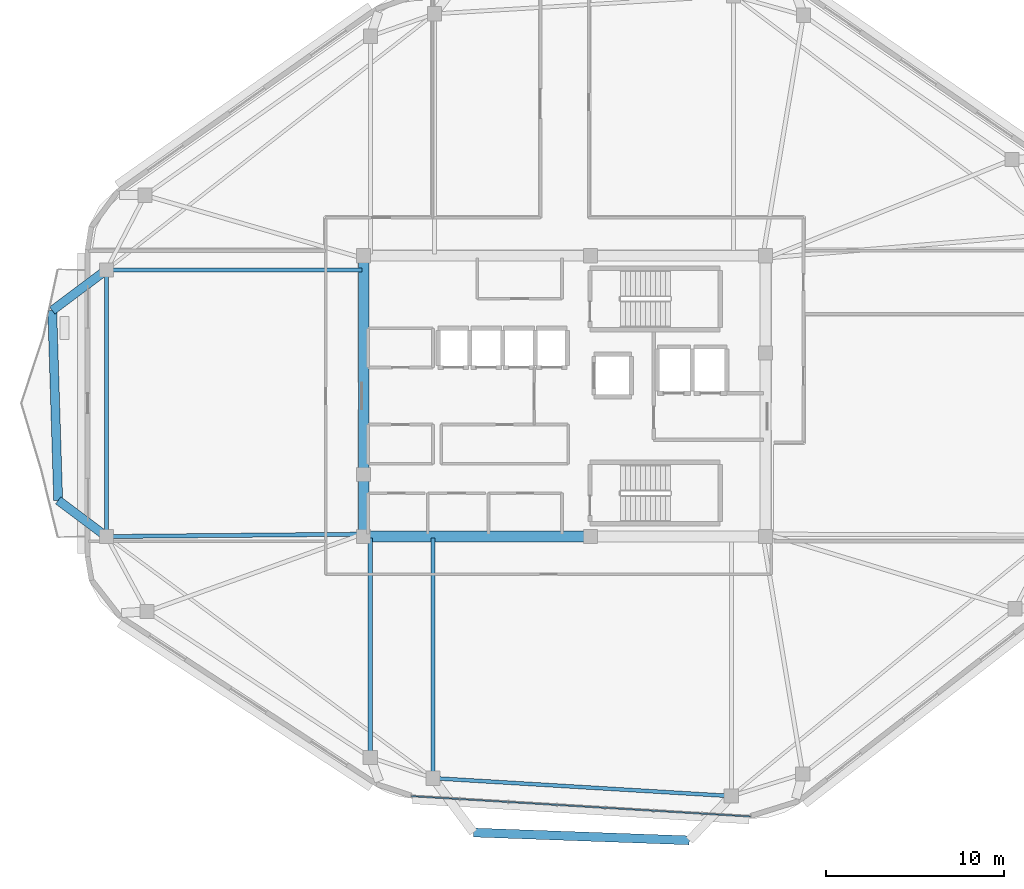
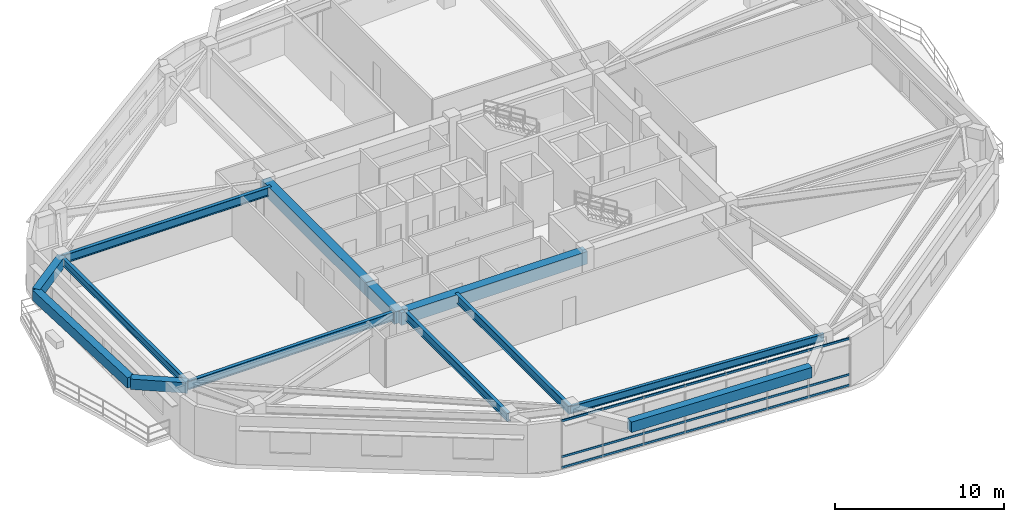
# One storey, part 3 of 12: 13 beams, 3 members, 1 element without a shape of its own.
"""IFC4 building model written with IfcOpenShell, lengths in metres."""

from ifc_helpers import new_model, si_unit, direction, frame, origin, origin_2d, place, context, subcontext, project, spatial, rectangle, hollow_rectangle, i_section, extrude, material, material_profile, profile_set, type_object, element, aggregate, save


model = new_model("IFC4")

# Units and contexts
model_context = context("Model", 3, precision=1e-05, world=origin(), true_north=direction((0.0, 1.0)))
body_context = subcontext(model_context, "Body", "Model", "MODEL_VIEW")
ifc_project = project(units=[si_unit("LENGTHUNIT", "METRE"), si_unit("AREAUNIT", "SQUARE_METRE"), si_unit("VOLUMEUNIT", "CUBIC_METRE"), si_unit("PLANEANGLEUNIT", "RADIAN"), si_unit("MASSUNIT", "GRAM", prefix="KILO")], contexts=[model_context])

# Site, building, storey
site_placement = place(None, origin())
site = spatial("IfcSite", under=ifc_project, at=site_placement, CompositionType="ELEMENT")
building_placement = place(site_placement, origin())
building = spatial("IfcBuilding", under=site, at=building_placement, Name="Zulverin Broadcast Headquarters", CompositionType="ELEMENT")
storey_placement = place(building_placement, frame((0.0, 0.0, 255.39990234375)))
storey = spatial("IfcBuildingStorey", under=building, at=storey_placement, Name="L65", CompositionType="ELEMENT", Elevation=255.39990234375)

# Beams
ifc_material_1 = material(Name="Concrete C60/75", Category="concrete")
ifc_material_profile_1 = material_profile(ifc_material_1, rectangle(XDim=0.60009765625, YDim=0.89990234375, at=origin_2d()), Name="Concrete C60/75", Category="concrete")
ifc_profile_set_1 = profile_set([ifc_material_profile_1], Name="Concrete C60/75")
beam_type_1 = type_object("IfcBeamType", Name="BM-CB-600x900", PredefinedType="LINTEL", material=ifc_profile_set_1)
beam_1_placement = place(storey_placement, frame((25.72509765625, 17.324951171875, 3.06005859375), z_axis=(1.0, 0.0, 0.0), x_axis=(0.0, 1.0, 0.0)))
element("IfcBeam", 1, at=beam_1_placement, inside=storey, type_object=beam_type_1, Name="L65 Core Coupling Girder K01-K02", PredefinedType="LINTEL", context=body_context, shape_type="SweptSolid", body=[
    extrude(rectangle(XDim=0.60009765625, YDim=0.89990234375, at=origin_2d()), origin(), (0.0, 0.0, 1.0), 12.724853515625),
])
beam_2_placement = place(storey_placement, frame((25.72509765625, 33.074951171875, 3.06005859375), z_axis=(0.0, -1.0, 0.0), x_axis=(1.0, 0.0, 0.0)))
element("IfcBeam", 2, at=beam_2_placement, inside=storey, type_object=beam_type_1, Name="L65 Core Coupling Girder K07-K08", PredefinedType="LINTEL", context=body_context, shape_type="SweptSolid", body=[
    extrude(rectangle(XDim=0.60009765625, YDim=0.89990234375, at=origin_2d()), origin(), (0.0, 0.0, 1.0), 12.27490234375),
])
beam_3_placement = place(storey_placement, frame((25.72509765625, 20.800048828125, 3.06005859375), z_axis=(0.0, -1.0, 0.0), x_axis=(1.0, 0.0, 0.0)))
element("IfcBeam", 3, at=beam_3_placement, inside=storey, type_object=beam_type_1, Name="L65 Core Coupling Girder K08-K01", PredefinedType="LINTEL", context=body_context, shape_type="SweptSolid", body=[
    extrude(rectangle(XDim=0.60009765625, YDim=0.89990234375, at=origin_2d()), origin(), (0.0, 0.0, 1.0), 3.47509765625),
])
ifc_material_2 = material(Name="Concrete C40/50", Category="concrete")
ifc_material_profile_2 = material_profile(ifc_material_2, rectangle(XDim=0.5, YDim=0.75, at=origin_2d()), Name="Concrete C40/50", Category="concrete")
ifc_profile_set_2 = profile_set([ifc_material_profile_2], Name="Concrete C40/50")
beam_type_2 = type_object("IfcBeamType", Name="BM-RC-500x750", PredefinedType="BEAM", material=ifc_profile_set_2)
beam_4_placement = place(storey_placement, frame((11.300048828125, 32.275390625, 3.135009765625), z_axis=(-0.80024663654, -0.599671010394, 0.0), x_axis=(0.599671010394, -0.80024663654, 0.0)))
element("IfcBeam", 4, at=beam_4_placement, inside=storey, type_object=beam_type_2, Name="L66 Balcony Column-Framed Cantilever BAL_W-1", PredefinedType="BEAM", context=body_context, shape_type="SweptSolid", body=[
    extrude(rectangle(XDim=0.5, YDim=0.75, at=origin_2d()), origin(), (0.0, 0.0, 1.0), 3.800048828125),
])
beam_5_placement = place(storey_placement, frame((11.300048828125, 17.318603515625, 3.135009765625), z_axis=(-0.800242344939, 0.59967673739, 0.0), x_axis=(-0.59967673739, -0.800242344939, 0.0)))
element("IfcBeam", 5, at=beam_5_placement, inside=storey, type_object=beam_type_2, Name="L66 Balcony Column-Framed Cantilever BAL_W-2", PredefinedType="BEAM", context=body_context, shape_type="SweptSolid", body=[
    extrude(rectangle(XDim=0.5, YDim=0.75, at=origin_2d()), origin(), (0.0, 0.0, 1.0), 3.384033203125),
])
beam_6_placement = place(storey_placement, frame((8.259033203125, 29.99658203125, 3.135009765625), z_axis=(0.031256930236, -0.999511382783, 0.0), x_axis=(0.999511382783, 0.031256930236, 0.0)))
element("IfcBeam", 6, at=beam_6_placement, inside=storey, type_object=beam_type_2, Name="L66 Balcony Outer Edge Trimmer Beam BAL_W", PredefinedType="BEAM", context=body_context, shape_type="SweptSolid", body=[
    extrude(rectangle(XDim=0.5, YDim=0.75, at=origin_2d()), origin(), (0.0, 0.0, 1.0), 10.65380859375),
])
beam_7_placement = place(storey_placement, frame((31.888916015625, 0.7138671875, 3.135009765625), z_axis=(0.999346968233, -0.036133600477, 0.0), x_axis=(0.036133600477, 0.999346968233, 0.0)))
element("IfcBeam", 7, at=beam_7_placement, inside=storey, type_object=beam_type_2, Name="L66 Balcony Outer Edge Trimmer Beam BAL_S", PredefinedType="BEAM", context=body_context, shape_type="SweptSolid", body=[
    extrude(rectangle(XDim=0.5, YDim=0.75, at=origin_2d()), origin(), (0.0, 0.0, 1.0), 12.114501953125),
])
ifc_material_3 = material(Name="Structural steel S355JR", Category="steel")
ifc_material_profile_3 = material_profile(ifc_material_3, i_section(OverallWidth=0.2119140625, OverallDepth=0.54443359375, WebThickness=0.0126953125, FlangeThickness=0.021240234375, at=origin_2d()), Name="Structural steel S355JR", Category="steel")
ifc_profile_set_3 = profile_set([ifc_material_profile_3], Name="Structural steel S355JR")
beam_type_3 = type_object("IfcBeamType", Name="BM-UB-533", PredefinedType="SPANDREL", material=ifc_profile_set_3)
beam_8_placement = place(storey_placement, frame((29.6220703125, 3.763671875, 3.23779296875), z_axis=(0.998203486609, -0.059914934044, 0.0), x_axis=(0.059914934044, 0.998203486609, 0.0)))
element("IfcBeam", 8, at=beam_8_placement, inside=storey, type_object=beam_type_3, Name="L65 Perimeter Spandrel Beam SP-01", PredefinedType="SPANDREL", context=body_context, shape_type="SweptSolid", body=[
    extrude(i_section(OverallWidth=0.2119140625, OverallDepth=0.54443359375, WebThickness=0.0126953125, FlangeThickness=0.021240234375, at=origin_2d()), origin(), (0.0, 0.0, 1.0), 16.759521484375),
])
beam_9_placement = place(storey_placement, frame((11.300048828125, 32.275390625, 3.23779296875), z_axis=(0.0, -1.0, 0.0), x_axis=(1.0, 0.0, 0.0)))
element("IfcBeam", 9, at=beam_9_placement, inside=storey, type_object=beam_type_3, Name="L65 Perimeter Spandrel Beam SP-13", PredefinedType="SPANDREL", context=body_context, shape_type="SweptSolid", body=[
    extrude(i_section(OverallWidth=0.2119140625, OverallDepth=0.54443359375, WebThickness=0.0126953125, FlangeThickness=0.021240234375, at=origin_2d()), origin(), (0.0, 0.0, 1.0), 14.956787109375),
])
ifc_material_profile_4 = material_profile(ifc_material_3, i_section(OverallWidth=0.230224609375, OverallDepth=0.6171875, WebThickness=0.01318359375, FlangeThickness=0.022216796875, at=origin_2d()), Name="Structural steel S355JR", Category="steel")
ifc_profile_set_4 = profile_set([ifc_material_profile_4], Name="Structural steel S355JR")
beam_type_4 = type_object("IfcBeamType", Name="BM-UB-610", PredefinedType="BEAM", material=ifc_profile_set_4)
beam_10_placement = place(storey_placement, frame((29.6220703125, 17.22509765625, 3.201416015625), z_axis=(0.0, -1.0, 0.0), x_axis=(1.0, 0.0, 0.0)))
element("IfcBeam", 10, at=beam_10_placement, inside=storey, type_object=beam_type_4, Name="L65 Radial Primary Floor Beam RB-01", PredefinedType="BEAM", context=body_context, shape_type="SweptSolid", body=[
    extrude(i_section(OverallWidth=0.230224609375, OverallDepth=0.6171875, WebThickness=0.01318359375, FlangeThickness=0.022216796875, at=origin_2d()), origin(), (0.0, 0.0, 1.0), 13.46142578125),
])
beam_11_placement = place(storey_placement, frame((25.625, 32.275390625, 3.201416015625), z_axis=(-1.0, 0.0, 0.0), x_axis=(0.0, -1.0, 0.0)))
element("IfcBeam", 11, at=beam_11_placement, inside=storey, type_object=beam_type_4, Name="L65 Radial Primary Floor Beam RB-13", PredefinedType="BEAM", context=body_context, shape_type="SweptSolid", body=[
    extrude(i_section(OverallWidth=0.230224609375, OverallDepth=0.6171875, WebThickness=0.01318359375, FlangeThickness=0.022216796875, at=origin_2d()), origin(), (0.0, 0.0, 1.0), 14.324951171875),
])
beam_12_placement = place(storey_placement, frame((25.625, 17.449951171875, 3.201416015625), z_axis=(-0.999957965975, -0.009168766693, 0.0), x_axis=(0.009168766693, -0.999957965975, 0.0)))
element("IfcBeam", 12, at=beam_12_placement, inside=storey, type_object=beam_type_4, Name="L65 Radial Primary Floor Beam RB-14", PredefinedType="BEAM", context=body_context, shape_type="SweptSolid", body=[
    extrude(i_section(OverallWidth=0.230224609375, OverallDepth=0.6171875, WebThickness=0.01318359375, FlangeThickness=0.022216796875, at=origin_2d()), origin(), (0.0, 0.0, 1.0), 14.325439453125),
])
beam_13_placement = place(storey_placement, frame((26.098876953125, 17.22509765625, 3.201416015625), z_axis=(0.0, -1.0, 0.0), x_axis=(1.0, 0.0, 0.0)))
element("IfcBeam", 13, at=beam_13_placement, inside=storey, type_object=beam_type_4, Name="L65 Radial Primary Floor Beam RB-16", PredefinedType="BEAM", context=body_context, shape_type="SweptSolid", body=[
    extrude(i_section(OverallWidth=0.230224609375, OverallDepth=0.6171875, WebThickness=0.01318359375, FlangeThickness=0.022216796875, at=origin_2d()), origin(), (0.0, 0.0, 1.0), 12.29638671875),
])

# Curtain wall, members
ifc_material_4 = material(Name="High-zone solar-control unitised curtain wall", Category="aluminium")
curtain_wall_type = type_object("IfcCurtainWallType", Name="CW-TWR-UPP", PredefinedType="USERDEFINED", material=ifc_material_4)
curtain_wall_placement = place(storey_placement, origin())
curtain_wall = element("IfcCurtainWall", 14, at=curtain_wall_placement, inside=storey, type_object=curtain_wall_type, Name="L65 Unitised Curtain Wall CW-L65-E1", ObjectType="UNITISED CURTAIN WALL", PredefinedType="USERDEFINED")
ifc_material_5 = material(Name="Anodized pale-metal aluminium alloy 6063-T6", Category="aluminium")
ifc_material_profile_5 = material_profile(ifc_material_5, hollow_rectangle(XDim=0.074951171875, YDim=0.14990234375, WallThickness=0.0048828125, at=origin_2d()), Name="Anodized pale-metal aluminium alloy 6063-T6", Category="aluminium")
ifc_profile_set_5 = profile_set([ifc_material_profile_5], Name="Anodized pale-metal aluminium alloy 6063-T6")
member_type = type_object("IfcMemberType", Name="CW-TRN-150", PredefinedType="USERDEFINED", material=ifc_profile_set_5)
member_1_placement = place(storey_placement, frame((28.409423828125, 2.754638671875, 0.0751953125), z_axis=(0.998202302109, -0.059934664967, 0.0), x_axis=(0.059934664967, 0.998202302109, 0.0)))
member_1 = element("IfcMember", 15, at=member_1_placement, type_object=member_type, Name="CW-L65-E1 Transom 0", ObjectType="TRANSOM", PredefinedType="USERDEFINED", context=body_context, shape_type="SweptSolid", body=[
    extrude(hollow_rectangle(XDim=0.074951171875, YDim=0.14990234375, WallThickness=0.0048828125, at=origin_2d()), origin(), (0.0, 0.0, 1.0), 19.0595703125),
])
member_2_placement = place(storey_placement, frame((28.409423828125, 2.754638671875, 0.842529296875), z_axis=(0.998202302109, -0.059934664967, 0.0), x_axis=(0.059934664967, 0.998202302109, 0.0)))
member_2 = element("IfcMember", 16, at=member_2_placement, type_object=member_type, Name="CW-L65-E1 Transom 1", ObjectType="TRANSOM", PredefinedType="USERDEFINED", context=body_context, shape_type="SweptSolid", body=[
    extrude(hollow_rectangle(XDim=0.074951171875, YDim=0.14990234375, WallThickness=0.0048828125, at=origin_2d()), origin(), (0.0, 0.0, 1.0), 19.0595703125),
])
member_3_placement = place(storey_placement, frame((28.409423828125, 2.754638671875, 3.43505859375), z_axis=(0.998202302109, -0.059934664967, 0.0), x_axis=(0.059934664967, 0.998202302109, 0.0)))
member_3 = element("IfcMember", 17, at=member_3_placement, type_object=member_type, Name="CW-L65-E1 Transom 2", ObjectType="TRANSOM", PredefinedType="USERDEFINED", context=body_context, shape_type="SweptSolid", body=[
    extrude(hollow_rectangle(XDim=0.074951171875, YDim=0.14990234375, WallThickness=0.0048828125, at=origin_2d()), origin(), (0.0, 0.0, 1.0), 19.0595703125),
])
aggregate(curtain_wall, [member_1, member_2, member_3])

save(model, "model.ifc")
